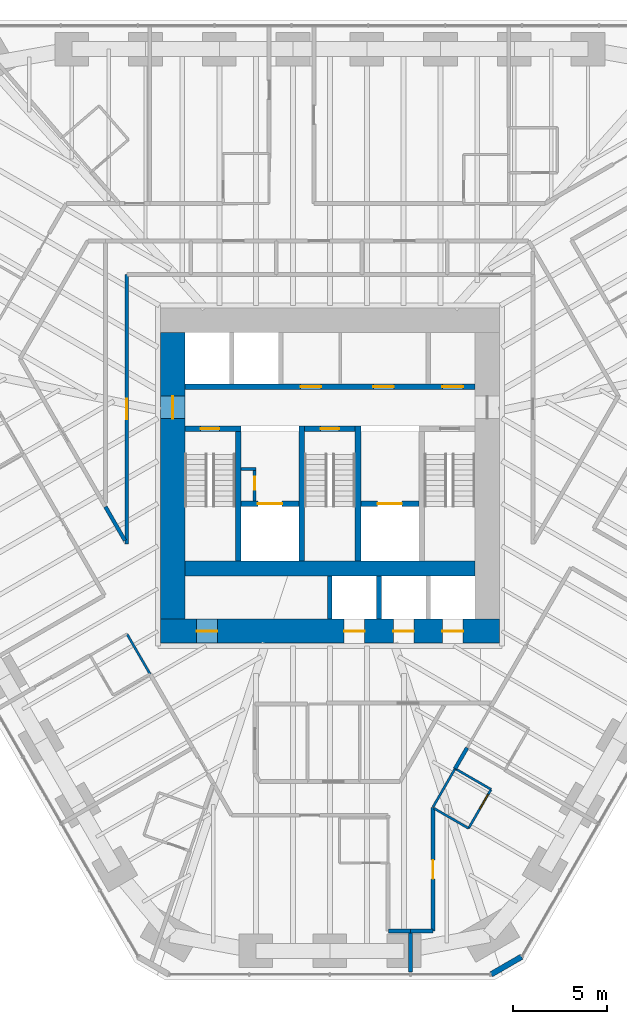
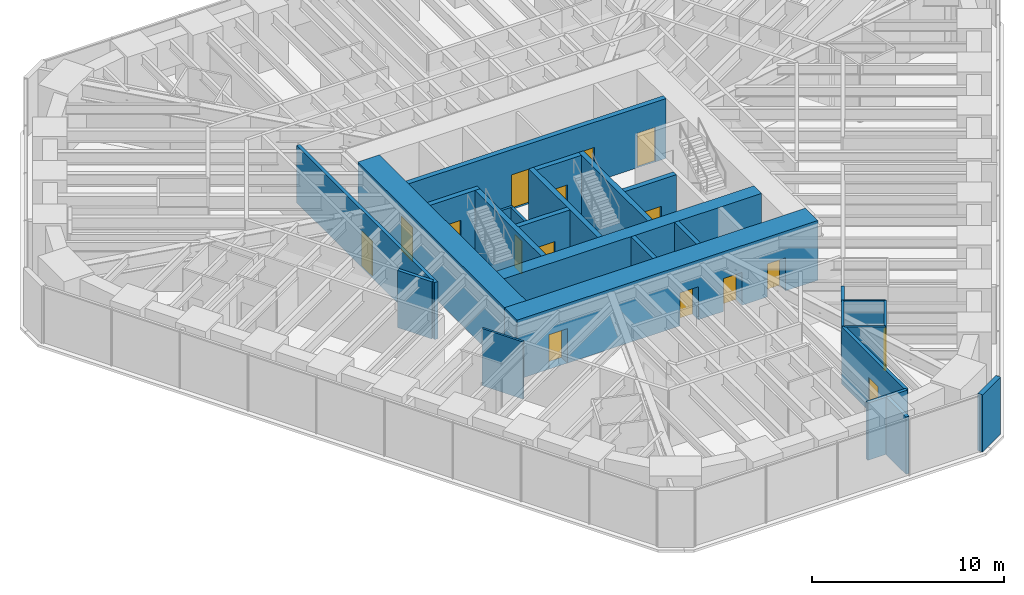
# One storey, part 12 of 17: 28 walls, 16 doors, 16 openings.
"""IFC4 building model written with IfcOpenShell, lengths in metres."""

from ifc_helpers import new_model, si_unit, direction, frame, frame_2d, origin, place, context, subcontext, project, spatial, rectangle, extrude, material, layer, layer_set, type_object, element, fill, save


model = new_model("IFC4")

# Units and contexts
model_context = context("Model", 3, precision=1e-05, world=origin(), true_north=direction((0.0, 1.0)))
body_context = subcontext(model_context, "Body", "Model", "MODEL_VIEW")
ifc_project = project(units=[si_unit("LENGTHUNIT", "METRE"), si_unit("AREAUNIT", "SQUARE_METRE"), si_unit("VOLUMEUNIT", "CUBIC_METRE"), si_unit("PLANEANGLEUNIT", "RADIAN"), si_unit("MASSUNIT", "GRAM", prefix="KILO")], contexts=[model_context])

# Site, building, storey
site_placement = place(None, origin())
site = spatial("IfcSite", under=ifc_project, at=site_placement, CompositionType="ELEMENT")
building_placement = place(site_placement, origin())
building = spatial("IfcBuilding", under=site, at=building_placement, Name="Sandreach Pilgrim Tower", CompositionType="ELEMENT")
storey_placement = place(building_placement, frame((0.0, 0.0, 138.60009765625)))
storey = spatial("IfcBuildingStorey", under=building, at=storey_placement, Name="L34", CompositionType="ELEMENT", Elevation=138.60009765625)

# Walls
ifc_material_1 = material(Name="Moisture-resistant gypsum board on steel studs", Category="steel")
ifc_layer_1 = layer(ifc_material_1, 0.1201171875)
ifc_layer_set_1 = layer_set([ifc_layer_1], Name="Bathroom partition 120")
wall_type_1 = type_object("IfcWallType", Name="Bathroom partition 120", PredefinedType="PARTITIONING", material=ifc_layer_set_1)
wall_1_placement = place(storey_placement, frame((-10.840087890625, -10.010009765625, 0.0), z_axis=(0.0, 0.0, 1.0), x_axis=(0.500089055364, -0.86597398154, 0.0)))
element("IfcWall", 1, at=wall_1_placement, inside=storey, type_object=wall_type_1, Name="Bathroom partition L34-043", PredefinedType="PARTITIONING", context=body_context, shape_type="SweptSolid", body=[
    extrude(rectangle(XDim=2.45947265625, YDim=0.1201171875, at=frame_2d((1.229736328125, 0.0))), origin(), (0.0, 0.0, 1.0), 3.639892578125),
])
wall_2_placement = place(storey_placement, frame((5.510009765625, -19.25, 0.0), z_axis=(0.0, 0.0, 1.0), x_axis=(0.498837591974, 0.866695481028, 0.0)))
element("IfcWall", 2, at=wall_2_placement, inside=storey, type_object=wall_type_1, Name="Bathroom partition L34-092", PredefinedType="PARTITIONING", context=body_context, shape_type="SweptSolid", body=[
    extrude(rectangle(XDim=2.365478515625, YDim=0.1201171875, at=frame_2d((1.1826171875, 0.0))), origin(), (0.0, 0.0, 1.0), 3.639892578125),
])
wall_3_placement = place(storey_placement, frame((5.566162109375, -19.322509765625, 0.0), z_axis=(0.0, 0.0, 1.0), x_axis=(0.865436746432, -0.501018201192, 0.0)))
element("IfcWall", 3, at=wall_3_placement, inside=storey, type_object=wall_type_1, Name="Bathroom partition L34-093", PredefinedType="PARTITIONING", context=body_context, shape_type="SweptSolid", body=[
    extrude(rectangle(XDim=2.13037109375, YDim=0.1201171875, at=frame_2d((1.065185546875, 0.0))), origin(), (0.0, 0.0, 1.0), 3.639892578125),
])

# Wall, opening, door
wall_4_placement = place(storey_placement, frame((7.409912109375, -20.389892578125, 0.0), z_axis=(0.0, 0.0, 1.0), x_axis=(0.499737123639, 0.866177122335, 0.0)))
wall_4 = element("IfcWall", 4, at=wall_4_placement, inside=storey, type_object=wall_type_1, Name="Bathroom partition L34-103", PredefinedType="PARTITIONING", context=body_context, shape_type="SweptSolid", body=[
    extrude(rectangle(XDim=2.401123046875, YDim=0.1201171875, at=frame_2d((1.20068359375, 0.0))), origin(), (0.0, 0.0, 1.0), 3.639892578125),
])
opening_1_placement = place(wall_4_placement, frame((1.201416015625, 0.0, 0.0)))
opening_1 = element("IfcOpeningElement", 5, at=opening_1_placement, cuts=wall_4, Name="Opening D09-09B", PredefinedType="OPENING", context=body_context, shape_type="SweptSolid", body=[
    extrude(rectangle(XDim=0.89990234375, YDim=2.030029296875, at=frame_2d((0.449951171875, 1.01513671875))), frame((0.0, 0.06005859375, 0.0), z_axis=(0.0, -1.0, 0.0), x_axis=(1.0, 0.0, 0.0)), (0.0, 0.0, 1.0), 0.1201171875),
])
ifc_material_2 = material(Name="Timber door, steel frame", Category="steel")
door_type_1 = type_object("IfcDoorType", Name="Bathroom door", OperationType="SINGLE_SWING_LEFT", PredefinedType="DOOR", material=ifc_material_2)
door_1_placement = place(opening_1_placement, origin())
door_1 = element("IfcDoor", 6, at=door_1_placement, inside=storey, type_object=door_type_1, Name="Door 3409B", OperationType="SINGLE_SWING_RIGHT", OverallHeight=2.030029296875, OverallWidth=0.89990234375, PredefinedType="DOOR", context=body_context, shape_type="SweptSolid", body=[
    extrude(rectangle(XDim=0.89990234375, YDim=2.030029296875, at=frame_2d((0.449951171875, 1.01513671875))), frame((0.0, 0.02490234375, 0.0), z_axis=(0.0, -1.0, 0.0), x_axis=(1.0, 0.0, 0.0)), (0.0, 0.0, 1.0), 0.050048828125),
])
fill(opening_1, door_1)

# Walls
wall_5_placement = place(storey_placement, frame((8.610107421875, -18.31005859375, 0.0), z_axis=(0.0, 0.0, 1.0), x_axis=(-0.865732595383, 0.500506816428, 0.0)))
element("IfcWall", 7, at=wall_5_placement, inside=storey, type_object=wall_type_1, Name="Bathroom partition L34-106", PredefinedType="PARTITIONING", context=body_context, shape_type="SweptSolid", body=[
    extrude(rectangle(XDim=2.218017578125, YDim=0.1201171875, at=frame_2d((1.10888671875, 0.0))), origin(), (0.0, 0.0, 1.0), 3.639892578125),
])
ifc_material_3 = material(Name="Concrete 10000 psi", Category="concrete")
ifc_layer_2 = layer(ifc_material_3, 0.300048828125)
ifc_layer_set_2 = layer_set([ifc_layer_2], Name="Core inner wall 300")
wall_type_2 = type_object("IfcWallType", Name="Core inner wall 300", PredefinedType="SHEAR", material=ifc_layer_set_2)
for number, where, z_axis, x_axis, name in (
    (8, (-4.89990234375, -6.10009765625, 0.0), (0.0, 0.0, 1.0), (0.0, 1.0, 0.0), "Core wall I0 L34"),
    (9, (-1.5, -6.10009765625, 0.0), (0.0, 0.0, 1.0), (0.0, 1.0, 0.0), "Core wall I1 L34"),
    (10, (1.5, -6.10009765625, 0.0), (0.0, 0.0, 1.0), (0.0, 1.0, 0.0), "Core wall I2 L34"),
):
    element("IfcWall", number, at=place(storey_placement, frame(where, z_axis=z_axis, x_axis=x_axis)), inside=storey, type_object=wall_type_2, Name=name, PredefinedType="SHEAR", context=body_context, shape_type="SweptSolid", body=[
        extrude(rectangle(XDim=7.2001953125, YDim=0.300048828125, at=frame_2d((3.60009765625, 0.0))), origin(), (0.0, 0.0, 1.0), 3.7998046875),
    ])

# Wall, opening, door
wall_6_placement = place(storey_placement, frame((-7.75, 0.949951171875, 0.0), z_axis=(0.0, 0.0, 1.0), x_axis=(1.0, 0.0, 0.0)))
wall_6 = element("IfcWall", 11, at=wall_6_placement, inside=storey, type_object=wall_type_2, Name="Core wall SN1 L34", PredefinedType="SHEAR", context=body_context, shape_type="SweptSolid", body=[
    extrude(rectangle(XDim=3.0, YDim=0.300048828125, at=frame_2d((1.5, 0.0))), origin(), (0.0, 0.0, 1.0), 3.7998046875),
])
opening_2_placement = place(wall_6_placement, frame((0.85009765625, 0.0, 0.0)))
opening_2 = element("IfcOpeningElement", 12, at=opening_2_placement, cuts=wall_6, Name="Opening D10S-ST1", PredefinedType="OPENING", context=body_context, shape_type="SweptSolid", body=[
    extrude(rectangle(XDim=1.0, YDim=2.199951171875, at=frame_2d((0.5, 1.10009765625))), frame((0.0, 0.14990234375, 0.0), z_axis=(0.0, -1.0, 0.0), x_axis=(1.0, 0.0, 0.0)), (0.0, 0.0, 1.0), 0.300048828125),
])
ifc_material_4 = material(Name="Steel door and frame", Category="steel")
door_type_2 = type_object("IfcDoorType", Name="Stair door", OperationType="SINGLE_SWING_LEFT", PredefinedType="DOOR", material=ifc_material_4)
door_2_placement = place(opening_2_placement, origin())
door_2 = element("IfcDoor", 13, at=door_2_placement, inside=storey, type_object=door_type_2, Name="Stair door ST1 L34", OperationType="SINGLE_SWING_LEFT", OverallHeight=2.199951171875, OverallWidth=1.0, PredefinedType="DOOR", context=body_context, shape_type="SweptSolid", body=[
    extrude(rectangle(XDim=1.0, YDim=2.199951171875, at=frame_2d((0.5, 1.10009765625))), frame((0.0, 0.02490234375, 0.0), z_axis=(0.0, -1.0, 0.0), x_axis=(1.0, 0.0, 0.0)), (0.0, 0.0, 1.0), 0.050048828125),
])
fill(opening_2, door_2)

wall_7_placement = place(storey_placement, frame((-1.35009765625, 0.949951171875, 0.0), z_axis=(0.0, 0.0, 1.0), x_axis=(1.0, 0.0, 0.0)))
wall_7 = element("IfcWall", 14, at=wall_7_placement, inside=storey, type_object=wall_type_2, Name="Core wall SN3 L34", PredefinedType="SHEAR", context=body_context, shape_type="SweptSolid", body=[
    extrude(rectangle(XDim=2.7001953125, YDim=0.300048828125, at=frame_2d((1.35009765625, 0.0))), origin(), (0.0, 0.0, 1.0), 3.7998046875),
])
opening_3_placement = place(wall_7_placement, frame((0.85009765625, 0.0, 0.0)))
opening_3 = element("IfcOpeningElement", 15, at=opening_3_placement, cuts=wall_7, Name="Opening D10S-ST3", PredefinedType="OPENING", context=body_context, shape_type="SweptSolid", body=[
    extrude(rectangle(XDim=1.0, YDim=2.199951171875, at=frame_2d((0.5, 1.10009765625))), frame((0.0, 0.14990234375, 0.0), z_axis=(0.0, -1.0, 0.0), x_axis=(1.0, 0.0, 0.0)), (0.0, 0.0, 1.0), 0.300048828125),
])
door_3_placement = place(opening_3_placement, origin())
door_3 = element("IfcDoor", 16, at=door_3_placement, inside=storey, type_object=door_type_2, Name="Stair door ST3 L34", OperationType="SINGLE_SWING_LEFT", OverallHeight=2.199951171875, OverallWidth=1.0, PredefinedType="DOOR", context=body_context, shape_type="SweptSolid", body=[
    extrude(rectangle(XDim=1.0, YDim=2.199951171875, at=frame_2d((0.5, 1.10009765625))), frame((0.0, 0.02490234375, 0.0), z_axis=(0.0, -1.0, 0.0), x_axis=(1.0, 0.0, 0.0)), (0.0, 0.0, 1.0), 0.050048828125),
])
fill(opening_3, door_3)

wall_8_placement = place(storey_placement, frame((-4.75, -3.050048828125, 0.0), z_axis=(0.0, 0.0, 1.0), x_axis=(1.0, 0.0, 0.0)))
wall_8 = element("IfcWall", 17, at=wall_8_placement, inside=storey, type_object=wall_type_2, Name="Core wall FL1 L34", PredefinedType="SHEAR", context=body_context, shape_type="SweptSolid", body=[
    extrude(rectangle(XDim=3.10009765625, YDim=0.300048828125, at=frame_2d((1.550048828125, 0.0))), origin(), (0.0, 0.0, 1.0), 3.7998046875),
])
opening_4_placement = place(wall_8_placement, frame((0.89990234375, 0.0, 0.0)))
opening_4 = element("IfcOpeningElement", 18, at=opening_4_placement, cuts=wall_8, Name="Opening LD13", PredefinedType="OPENING", context=body_context, shape_type="SweptSolid", body=[
    extrude(rectangle(XDim=1.300048828125, YDim=2.10009765625, at=frame_2d((0.64990234375, 1.050048828125))), frame((0.0, 0.14990234375, 0.0), z_axis=(0.0, -1.0, 0.0), x_axis=(1.0, 0.0, 0.0)), (0.0, 0.0, 1.0), 0.300048828125),
])
ifc_material_5 = material(Name="Steel door and frame", Category="steel")
door_type_3 = type_object("IfcDoorType", Name="Fire service lift landing door", OperationType="DOUBLE_DOOR_SLIDING", PredefinedType="DOOR", material=ifc_material_5)
door_4_placement = place(opening_4_placement, origin())
door_4 = element("IfcDoor", 19, at=door_4_placement, inside=storey, type_object=door_type_3, Name="Lift landing door FS1 L34", OperationType="DOUBLE_DOOR_SLIDING", OverallHeight=2.10009765625, OverallWidth=1.300048828125, PredefinedType="DOOR", context=body_context, shape_type="SweptSolid", body=[
    extrude(rectangle(XDim=1.300048828125, YDim=2.10009765625, at=frame_2d((0.64990234375, 1.050048828125))), frame((0.0, 0.02490234375, 0.0), z_axis=(0.0, -1.0, 0.0), x_axis=(1.0, 0.0, 0.0)), (0.0, 0.0, 1.0), 0.050048828125),
])
fill(opening_4, door_4)

wall_9_placement = place(storey_placement, frame((1.64990234375, -3.050048828125, 0.0), z_axis=(0.0, 0.0, 1.0), x_axis=(1.0, 0.0, 0.0)))
wall_9 = element("IfcWall", 20, at=wall_9_placement, inside=storey, type_object=wall_type_2, Name="Core wall FL2 L34", PredefinedType="SHEAR", context=body_context, shape_type="SweptSolid", body=[
    extrude(rectangle(XDim=3.10009765625, YDim=0.300048828125, at=frame_2d((1.550048828125, 0.0))), origin(), (0.0, 0.0, 1.0), 3.7998046875),
])
opening_5_placement = place(wall_9_placement, frame((0.89990234375, 0.0, 0.0)))
opening_5 = element("IfcOpeningElement", 21, at=opening_5_placement, cuts=wall_9, Name="Opening LD13", PredefinedType="OPENING", context=body_context, shape_type="SweptSolid", body=[
    extrude(rectangle(XDim=1.300048828125, YDim=2.10009765625, at=frame_2d((0.64990234375, 1.050048828125))), frame((0.0, 0.14990234375, 0.0), z_axis=(0.0, -1.0, 0.0), x_axis=(1.0, 0.0, 0.0)), (0.0, 0.0, 1.0), 0.300048828125),
])
door_5_placement = place(opening_5_placement, origin())
door_5 = element("IfcDoor", 22, at=door_5_placement, inside=storey, type_object=door_type_3, Name="Lift landing door FS2 L34", OperationType="DOUBLE_DOOR_SLIDING", OverallHeight=2.10009765625, OverallWidth=1.300048828125, PredefinedType="DOOR", context=body_context, shape_type="SweptSolid", body=[
    extrude(rectangle(XDim=1.300048828125, YDim=2.10009765625, at=frame_2d((0.64990234375, 1.050048828125))), frame((0.0, 0.02490234375, 0.0), z_axis=(0.0, -1.0, 0.0), x_axis=(1.0, 0.0, 0.0)), (0.0, 0.0, 1.0), 0.050048828125),
])
fill(opening_5, door_5)

# Wall, openings, doors
wall_10_placement = place(storey_placement, frame((-7.75, 3.199951171875, 0.0), z_axis=(0.0, 0.0, 1.0), x_axis=(1.0, 0.0, 0.0)))
wall_10 = element("IfcWall", 23, at=wall_10_placement, inside=storey, type_object=wall_type_2, Name="Core wall PN L34", PredefinedType="SHEAR", context=body_context, shape_type="SweptSolid", body=[
    extrude(rectangle(XDim=15.5, YDim=0.300048828125, at=frame_2d((7.75, 0.0))), origin(), (0.0, 0.0, 1.0), 3.7998046875),
])
opening_6_placement = place(wall_10_placement, frame((6.1875, 0.0, 0.0)))
opening_6 = element("IfcOpeningElement", 24, at=opening_6_placement, cuts=wall_10, Name="Opening D11L", PredefinedType="OPENING", context=body_context, shape_type="SweptSolid", body=[
    extrude(rectangle(XDim=1.10009765625, YDim=2.199951171875, at=frame_2d((0.550048828125, 1.10009765625))), frame((0.0, 0.14990234375, 0.0), z_axis=(0.0, -1.0, 0.0), x_axis=(1.0, 0.0, 0.0)), (0.0, 0.0, 1.0), 0.300048828125),
])
opening_7_placement = place(wall_10_placement, frame((10.074951171875, 0.0, 0.0)))
opening_7 = element("IfcOpeningElement", 25, at=opening_7_placement, cuts=wall_10, Name="Opening D11L", PredefinedType="OPENING", context=body_context, shape_type="SweptSolid", body=[
    extrude(rectangle(XDim=1.10009765625, YDim=2.199951171875, at=frame_2d((0.550048828125, 1.10009765625))), frame((0.0, 0.14990234375, 0.0), z_axis=(0.0, -1.0, 0.0), x_axis=(1.0, 0.0, 0.0)), (0.0, 0.0, 1.0), 0.300048828125),
])
opening_8_placement = place(wall_10_placement, frame((13.762451171875, 0.0, 0.0)))
opening_8 = element("IfcOpeningElement", 26, at=opening_8_placement, cuts=wall_10, Name="Opening D11L", PredefinedType="OPENING", context=body_context, shape_type="SweptSolid", body=[
    extrude(rectangle(XDim=1.10009765625, YDim=2.199951171875, at=frame_2d((0.550048828125, 1.10009765625))), frame((0.0, 0.14990234375, 0.0), z_axis=(0.0, -1.0, 0.0), x_axis=(1.0, 0.0, 0.0)), (0.0, 0.0, 1.0), 0.300048828125),
])
ifc_material_6 = material(Name="Steel door and frame, smoke seals", Category="steel")
door_type_4 = type_object("IfcDoorType", Name="Core room door", OperationType="SINGLE_SWING_LEFT", PredefinedType="DOOR", material=ifc_material_6)
door_6_placement = place(opening_6_placement, origin())
door_6 = element("IfcDoor", 27, at=door_6_placement, inside=storey, type_object=door_type_4, Name="Door housekeeping store 34K1", OperationType="SINGLE_SWING_LEFT", OverallHeight=2.199951171875, OverallWidth=1.10009765625, PredefinedType="DOOR", context=body_context, shape_type="SweptSolid", body=[
    extrude(rectangle(XDim=1.10009765625, YDim=2.199951171875, at=frame_2d((0.550048828125, 1.10009765625))), frame((0.0, 0.02490234375, 0.0), z_axis=(0.0, -1.0, 0.0), x_axis=(1.0, 0.0, 0.0)), (0.0, 0.0, 1.0), 0.050048828125),
])
fill(opening_6, door_6)
door_7_placement = place(opening_7_placement, origin())
door_7 = element("IfcDoor", 28, at=door_7_placement, inside=storey, type_object=door_type_4, Name="Door cleaners store 34K2", OperationType="SINGLE_SWING_RIGHT", OverallHeight=2.199951171875, OverallWidth=1.10009765625, PredefinedType="DOOR", context=body_context, shape_type="SweptSolid", body=[
    extrude(rectangle(XDim=1.10009765625, YDim=2.199951171875, at=frame_2d((0.550048828125, 1.10009765625))), frame((0.0, 0.02490234375, 0.0), z_axis=(0.0, -1.0, 0.0), x_axis=(1.0, 0.0, 0.0)), (0.0, 0.0, 1.0), 0.050048828125),
])
fill(opening_7, door_7)
door_8_placement = place(opening_8_placement, origin())
door_8 = element("IfcDoor", 29, at=door_8_placement, inside=storey, type_object=door_type_4, Name="Door storage room 34K3", OperationType="SINGLE_SWING_RIGHT", OverallHeight=2.199951171875, OverallWidth=1.10009765625, PredefinedType="DOOR", context=body_context, shape_type="SweptSolid", body=[
    extrude(rectangle(XDim=1.10009765625, YDim=2.199951171875, at=frame_2d((0.550048828125, 1.10009765625))), frame((0.0, 0.02490234375, 0.0), z_axis=(0.0, -1.0, 0.0), x_axis=(1.0, 0.0, 0.0)), (0.0, 0.0, 1.0), 0.050048828125),
])
fill(opening_8, door_8)

# Wall
ifc_material_7 = material(Name="Concrete 10000 psi", Category="concrete")
ifc_layer_3 = layer(ifc_material_7, 0.800048828125)
ifc_layer_set_3 = layer_set([ifc_layer_3], Name="Core mid wall 800")
wall_type_3 = type_object("IfcWallType", Name="Core mid wall 800", PredefinedType="SHEAR", material=ifc_layer_set_3)
wall_11_placement = place(storey_placement, frame((-7.75, -6.5, 0.0), z_axis=(0.0, 0.0, 1.0), x_axis=(1.0, 0.0, 0.0)))
element("IfcWall", 30, at=wall_11_placement, inside=storey, type_object=wall_type_3, Name="Core wall M L34", PredefinedType="SHEAR", context=body_context, shape_type="SweptSolid", body=[
    extrude(rectangle(XDim=15.5, YDim=0.800048828125, at=frame_2d((7.75, 0.0))), origin(), (0.0, 0.0, 1.0), 3.7998046875),
])

# Wall, openings, doors
ifc_material_8 = material(Name="Concrete 10000 psi", Category="concrete")
ifc_layer_4 = layer(ifc_material_8, 1.300048828125)
ifc_layer_set_4 = layer_set([ifc_layer_4], Name="Core wall 1300")
wall_type_4 = type_object("IfcWallType", Name="Core wall 1300", PredefinedType="SHEAR", material=ifc_layer_set_4)
wall_12_placement = place(storey_placement, frame((-9.050048828125, -9.85009765625, 0.0), z_axis=(0.0, 0.0, 1.0), x_axis=(1.0, 0.0, 0.0)))
wall_12 = element("IfcWall", 31, at=wall_12_placement, inside=storey, type_object=wall_type_4, Name="Core wall S L34", PredefinedType="SHEAR", context=body_context, shape_type="SweptSolid", body=[
    extrude(rectangle(XDim=18.10009765625, YDim=1.300048828125, at=frame_2d((9.050048828125, 0.0))), origin(), (0.0, 0.0, 1.0), 3.7998046875),
])
opening_9_placement = place(wall_12_placement, frame((1.9375, 0.0, 0.0)))
opening_9 = element("IfcOpeningElement", 32, at=opening_9_placement, cuts=wall_12, Name="Opening D11H", PredefinedType="OPENING", context=body_context, shape_type="SweptSolid", body=[
    extrude(rectangle(XDim=1.10009765625, YDim=2.199951171875, at=frame_2d((0.550048828125, 1.10009765625))), frame((0.0, 0.64990234375, 0.0), z_axis=(0.0, -1.0, 0.0), x_axis=(1.0, 0.0, 0.0)), (0.0, 0.0, 1.0), 1.300048828125),
])
opening_10_placement = place(wall_12_placement, frame((9.8125, 0.0, 0.0)))
opening_10 = element("IfcOpeningElement", 33, at=opening_10_placement, cuts=wall_12, Name="Opening LD11", PredefinedType="OPENING", context=body_context, shape_type="SweptSolid", body=[
    extrude(rectangle(XDim=1.10009765625, YDim=2.10009765625, at=frame_2d((0.550048828125, 1.050048828125))), frame((0.0, 0.64990234375, 0.0), z_axis=(0.0, -1.0, 0.0), x_axis=(1.0, 0.0, 0.0)), (0.0, 0.0, 1.0), 1.300048828125),
])
opening_11_placement = place(wall_12_placement, frame((12.4375, 0.0, 0.0)))
opening_11 = element("IfcOpeningElement", 34, at=opening_11_placement, cuts=wall_12, Name="Opening LD11", PredefinedType="OPENING", context=body_context, shape_type="SweptSolid", body=[
    extrude(rectangle(XDim=1.10009765625, YDim=2.10009765625, at=frame_2d((0.550048828125, 1.050048828125))), frame((0.0, 0.64990234375, 0.0), z_axis=(0.0, -1.0, 0.0), x_axis=(1.0, 0.0, 0.0)), (0.0, 0.0, 1.0), 1.300048828125),
])
opening_12_placement = place(wall_12_placement, frame((15.0625, 0.0, 0.0)))
opening_12 = element("IfcOpeningElement", 35, at=opening_12_placement, cuts=wall_12, Name="Opening LD11", PredefinedType="OPENING", context=body_context, shape_type="SweptSolid", body=[
    extrude(rectangle(XDim=1.10009765625, YDim=2.10009765625, at=frame_2d((0.550048828125, 1.050048828125))), frame((0.0, 0.64990234375, 0.0), z_axis=(0.0, -1.0, 0.0), x_axis=(1.0, 0.0, 0.0)), (0.0, 0.0, 1.0), 1.300048828125),
])
ifc_material_9 = material(Name="Steel door and frame", Category="steel")
door_type_5 = type_object("IfcDoorType", Name="Back of house door", OperationType="SINGLE_SWING_LEFT", PredefinedType="DOOR", material=ifc_material_9)
door_9_placement = place(opening_9_placement, origin())
door_9 = element("IfcDoor", 36, at=door_9_placement, inside=storey, type_object=door_type_5, Name="Door staff room 34K4", OperationType="SINGLE_SWING_LEFT", OverallHeight=2.199951171875, OverallWidth=1.10009765625, PredefinedType="DOOR", context=body_context, shape_type="SweptSolid", body=[
    extrude(rectangle(XDim=1.10009765625, YDim=2.199951171875, at=frame_2d((0.550048828125, 1.10009765625))), frame((0.0, 0.02490234375, 0.0), z_axis=(0.0, -1.0, 0.0), x_axis=(1.0, 0.0, 0.0)), (0.0, 0.0, 1.0), 0.050048828125),
])
fill(opening_9, door_9)
ifc_material_10 = material(Name="Steel door and frame", Category="steel")
door_type_6 = type_object("IfcDoorType", Name="Lift landing door", OperationType="DOUBLE_DOOR_SLIDING", PredefinedType="DOOR", material=ifc_material_10)
door_10_placement = place(opening_10_placement, origin())
door_10 = element("IfcDoor", 37, at=door_10_placement, inside=storey, type_object=door_type_6, Name="Lift landing door Z2A L34", OperationType="DOUBLE_DOOR_SLIDING", OverallHeight=2.10009765625, OverallWidth=1.10009765625, PredefinedType="DOOR", context=body_context, shape_type="SweptSolid", body=[
    extrude(rectangle(XDim=1.10009765625, YDim=2.10009765625, at=frame_2d((0.550048828125, 1.050048828125))), frame((0.0, 0.02490234375, 0.0), z_axis=(0.0, -1.0, 0.0), x_axis=(1.0, 0.0, 0.0)), (0.0, 0.0, 1.0), 0.050048828125),
])
fill(opening_10, door_10)
door_11_placement = place(opening_11_placement, origin())
door_11 = element("IfcDoor", 38, at=door_11_placement, inside=storey, type_object=door_type_6, Name="Lift landing door Z2B L34", OperationType="DOUBLE_DOOR_SLIDING", OverallHeight=2.10009765625, OverallWidth=1.10009765625, PredefinedType="DOOR", context=body_context, shape_type="SweptSolid", body=[
    extrude(rectangle(XDim=1.10009765625, YDim=2.10009765625, at=frame_2d((0.550048828125, 1.050048828125))), frame((0.0, 0.02490234375, 0.0), z_axis=(0.0, -1.0, 0.0), x_axis=(1.0, 0.0, 0.0)), (0.0, 0.0, 1.0), 0.050048828125),
])
fill(opening_11, door_11)
door_12_placement = place(opening_12_placement, origin())
door_12 = element("IfcDoor", 39, at=door_12_placement, inside=storey, type_object=door_type_6, Name="Lift landing door Z2C L34", OperationType="DOUBLE_DOOR_SLIDING", OverallHeight=2.10009765625, OverallWidth=1.10009765625, PredefinedType="DOOR", context=body_context, shape_type="SweptSolid", body=[
    extrude(rectangle(XDim=1.10009765625, YDim=2.10009765625, at=frame_2d((0.550048828125, 1.050048828125))), frame((0.0, 0.02490234375, 0.0), z_axis=(0.0, -1.0, 0.0), x_axis=(1.0, 0.0, 0.0)), (0.0, 0.0, 1.0), 0.050048828125),
])
fill(opening_12, door_12)

# Wall, opening, door
wall_13_placement = place(storey_placement, frame((-8.39990234375, -9.199951171875, 0.0), z_axis=(0.0, 0.0, 1.0), x_axis=(0.0, 1.0, 0.0)))
wall_13 = element("IfcWall", 40, at=wall_13_placement, inside=storey, type_object=wall_type_4, Name="Core wall W L34", PredefinedType="SHEAR", context=body_context, shape_type="SweptSolid", body=[
    extrude(rectangle(XDim=15.300048828125, YDim=1.300048828125, at=frame_2d((7.64990234375, 0.0))), origin(), (0.0, 0.0, 1.0), 3.7998046875),
])
opening_13_placement = place(wall_13_placement, frame((10.699951171875, 0.0, 0.0)))
opening_13 = element("IfcOpeningElement", 41, at=opening_13_placement, cuts=wall_13, Name="Opening D12F-W", PredefinedType="OPENING", context=body_context, shape_type="SweptSolid", body=[
    extrude(rectangle(XDim=1.199951171875, YDim=2.199951171875, at=frame_2d((0.60009765625, 1.10009765625))), frame((0.0, 0.64990234375, 0.0), z_axis=(0.0, -1.0, 0.0), x_axis=(1.0, 0.0, 0.0)), (0.0, 0.0, 1.0), 1.300048828125),
])
ifc_material_11 = material(Name="Steel door and frame", Category="steel")
door_type_7 = type_object("IfcDoorType", Name="Fire lobby door", OperationType="SINGLE_SWING_LEFT", PredefinedType="DOOR", material=ifc_material_11)
door_13_placement = place(opening_13_placement, origin())
door_13 = element("IfcDoor", 42, at=door_13_placement, inside=storey, type_object=door_type_7, Name="Fire service lobby door W L34", OperationType="SINGLE_SWING_RIGHT", OverallHeight=2.199951171875, OverallWidth=1.199951171875, PredefinedType="DOOR", context=body_context, shape_type="SweptSolid", body=[
    extrude(rectangle(XDim=1.199951171875, YDim=2.199951171875, at=frame_2d((0.60009765625, 1.10009765625))), frame((0.0, 0.02490234375, 0.0), z_axis=(0.0, -1.0, 0.0), x_axis=(1.0, 0.0, 0.0)), (0.0, 0.0, 1.0), 0.050048828125),
])
fill(opening_13, door_13)

# Wall
ifc_material_12 = material(Name="Gypsum board on steel studs, two layers each side", Category="steel")
ifc_layer_5 = layer(ifc_material_12, 0.199951171875)
ifc_layer_set_5 = layer_set([ifc_layer_5], Name="Corridor wall 200")
wall_type_5 = type_object("IfcWallType", Name="Corridor wall 200", PredefinedType="PARTITIONING", material=ifc_layer_set_5)
wall_14_placement = place(storey_placement, frame((-10.94970703125, -5.0166015625, 0.0), z_axis=(0.0, 0.0, 1.0), x_axis=(-0.498999092416, 0.866602507363, 0.0)))
element("IfcWall", 43, at=wall_14_placement, inside=storey, type_object=wall_type_5, Name="Corridor wall L34-041", PredefinedType="PARTITIONING", context=body_context, shape_type="SweptSolid", body=[
    extrude(rectangle(XDim=2.084716796875, YDim=0.199951171875, at=frame_2d((1.04248046875, 0.0))), origin(), (0.0, 0.0, 1.0), 3.639892578125),
])

# Wall, opening, door
wall_15_placement = place(storey_placement, frame((-10.85009765625, 9.199951171875, 0.0), z_axis=(0.0, 0.0, 1.0), x_axis=(0.0, -1.0, 0.0)))
wall_15 = element("IfcWall", 44, at=wall_15_placement, inside=storey, type_object=wall_type_5, Name="Corridor wall L34-042", PredefinedType="PARTITIONING", context=body_context, shape_type="SweptSolid", body=[
    extrude(rectangle(XDim=14.389892578125, YDim=0.199951171875, at=frame_2d((7.19482421875, 0.0))), origin(), (0.0, 0.0, 1.0), 3.639892578125),
])
opening_14_placement = place(wall_15_placement, frame((6.64501953125, 0.0, 0.0)))
opening_14 = element("IfcOpeningElement", 45, at=opening_14_placement, cuts=wall_15, Name="Opening D11H-M02", PredefinedType="OPENING", context=body_context, shape_type="SweptSolid", body=[
    extrude(rectangle(XDim=1.10009765625, YDim=2.199951171875, at=frame_2d((0.550048828125, 1.10009765625))), frame((0.0, 0.10009765625, 0.0), z_axis=(0.0, -1.0, 0.0), x_axis=(1.0, 0.0, 0.0)), (0.0, 0.0, 1.0), 0.199951171875),
])
door_14_placement = place(opening_14_placement, origin())
door_14 = element("IfcDoor", 46, at=door_14_placement, inside=storey, type_object=door_type_5, Name="Door 34M02", OperationType="SINGLE_SWING_LEFT", OverallHeight=2.199951171875, OverallWidth=1.10009765625, PredefinedType="DOOR", context=body_context, shape_type="SweptSolid", body=[
    extrude(rectangle(XDim=1.10009765625, YDim=2.199951171875, at=frame_2d((0.550048828125, 1.10009765625))), frame((0.0, 0.02490234375, 0.0), z_axis=(0.0, -1.0, 0.0), x_axis=(1.0, 0.0, 0.0)), (0.0, 0.0, 1.0), 0.050048828125),
])
fill(opening_14, door_14)

# Walls
wall_16_placement = place(storey_placement, frame((3.125, -25.8798828125, 0.0), z_axis=(0.0, 0.0, 1.0), x_axis=(1.0, 0.0, 0.0)))
element("IfcWall", 47, at=wall_16_placement, inside=storey, type_object=wall_type_5, Name="Corridor wall L34-087", PredefinedType="PARTITIONING", context=body_context, shape_type="SweptSolid", body=[
    extrude(rectangle(XDim=1.18505859375, YDim=0.199951171875, at=frame_2d((0.592529296875, 0.0))), origin(), (0.0, 0.0, 1.0), 3.639892578125),
])
wall_17_placement = place(storey_placement, frame((4.31005859375, -25.8798828125, 0.0), z_axis=(0.0, 0.0, 1.0), x_axis=(1.0, 0.0, 0.0)))
element("IfcWall", 48, at=wall_17_placement, inside=storey, type_object=wall_type_5, Name="Corridor wall L34-090", PredefinedType="PARTITIONING", context=body_context, shape_type="SweptSolid", body=[
    extrude(rectangle(XDim=1.18994140625, YDim=0.199951171875, at=frame_2d((0.594970703125, 0.0))), origin(), (0.0, 0.0, 1.0), 3.639892578125),
])

# Wall, opening, door
wall_18_placement = place(storey_placement, frame((5.510009765625, -25.8798828125, 0.0), z_axis=(0.0, 0.0, 1.0), x_axis=(0.0, 1.0, 0.0)))
wall_18 = element("IfcWall", 49, at=wall_18_placement, inside=storey, type_object=wall_type_5, Name="Corridor wall L34-091", PredefinedType="PARTITIONING", context=body_context, shape_type="SweptSolid", body=[
    extrude(rectangle(XDim=6.58984375, YDim=0.199951171875, at=frame_2d((3.294921875, 0.0))), origin(), (0.0, 0.0, 1.0), 3.639892578125),
])
opening_15_placement = place(wall_18_placement, frame((2.794921875, 0.0, 0.0)))
opening_15 = element("IfcOpeningElement", 50, at=opening_15_placement, cuts=wall_18, Name="Opening D10-09", PredefinedType="OPENING", context=body_context, shape_type="SweptSolid", body=[
    extrude(rectangle(XDim=1.0, YDim=2.1298828125, at=frame_2d((0.5, 1.06494140625))), frame((0.0, 0.10009765625, 0.0), z_axis=(0.0, -1.0, 0.0), x_axis=(1.0, 0.0, 0.0)), (0.0, 0.0, 1.0), 0.199951171875),
])
ifc_material_13 = material(Name="Steel door and frame", Category="steel")
door_type_8 = type_object("IfcDoorType", Name="Guest room entry door", OperationType="SINGLE_SWING_LEFT", PredefinedType="DOOR", material=ifc_material_13)
door_15_placement = place(opening_15_placement, origin())
door_15 = element("IfcDoor", 51, at=door_15_placement, inside=storey, type_object=door_type_8, Name="Door 3409", OperationType="SINGLE_SWING_LEFT", OverallHeight=2.1298828125, OverallWidth=1.0, PredefinedType="DOOR", context=body_context, shape_type="SweptSolid", body=[
    extrude(rectangle(XDim=1.0, YDim=2.1298828125, at=frame_2d((0.5, 1.06494140625))), frame((0.0, 0.02490234375, 0.0), z_axis=(0.0, -1.0, 0.0), x_axis=(1.0, 0.0, 0.0)), (0.0, 0.0, 1.0), 0.050048828125),
])
fill(opening_15, door_15)

# Walls
wall_19_placement = place(storey_placement, frame((6.68994140625, -17.199951171875, 0.0), z_axis=(0.0, 0.0, 1.0), x_axis=(0.499623473928, 0.866242682105, 0.0)))
element("IfcWall", 52, at=wall_19_placement, inside=storey, type_object=wall_type_5, Name="Corridor wall L34-098", PredefinedType="PARTITIONING", context=body_context, shape_type="SweptSolid", body=[
    extrude(rectangle(XDim=1.28125, YDim=0.199951171875, at=frame_2d((0.640625, 0.0))), origin(), (0.0, 0.0, 1.0), 3.639892578125),
])
ifc_material_14 = material(Name="Double steel stud acoustic wall, gypsum board", Category="steel")
ifc_layer_6 = layer(ifc_material_14, 0.199951171875)
ifc_layer_set_6 = layer_set([ifc_layer_6], Name="Party wall 200")
wall_type_6 = type_object("IfcWallType", Name="Party wall 200", PredefinedType="PARTITIONING", material=ifc_layer_set_6)
wall_20_placement = place(storey_placement, frame((4.31005859375, -28.070068359375, 0.0), z_axis=(0.0, 0.0, 1.0), x_axis=(0.0, 1.0, 0.0)))
element("IfcWall", 53, at=wall_20_placement, inside=storey, type_object=wall_type_6, Name="Party wall L34-089", PredefinedType="PARTITIONING", context=body_context, shape_type="SweptSolid", body=[
    extrude(rectangle(XDim=2.18017578125, YDim=0.199951171875, at=frame_2d((1.090087890625, 0.0))), origin(), (0.0, 0.0, 1.0), 3.639892578125),
])

# Wall, opening, door
ifc_material_15 = material(Name="Gypsum shaft wall on steel studs, shaft liner board", Category="steel")
ifc_layer_7 = layer(ifc_material_15, 0.14990234375)
ifc_layer_set_7 = layer_set([ifc_layer_7], Name="Riser shaft wall 150")
wall_type_7 = type_object("IfcWallType", Name="Riser shaft wall 150", PredefinedType="PARTITIONING", material=ifc_layer_set_7)
wall_21_placement = place(storey_placement, frame((-4.02490234375, -2.89990234375, 0.0), z_axis=(0.0, 0.0, 1.0), x_axis=(0.0, 1.0, 0.0)))
wall_21 = element("IfcWall", 54, at=wall_21_placement, inside=storey, type_object=wall_type_7, Name="Riser partition L34 side", PredefinedType="PARTITIONING", context=body_context, shape_type="SweptSolid", body=[
    extrude(rectangle(XDim=1.77490234375, YDim=0.14990234375, at=frame_2d((0.887451171875, 0.0))), origin(), (0.0, 0.0, 1.0), 3.639892578125),
])
opening_16_placement = place(wall_21_placement, frame((0.60009765625, 0.0, 0.0)))
opening_16 = element("IfcOpeningElement", 55, at=opening_16_placement, cuts=wall_21, Name="Opening D07R", PredefinedType="OPENING", context=body_context, shape_type="SweptSolid", body=[
    extrude(rectangle(XDim=0.699951171875, YDim=2.10009765625, at=frame_2d((0.35009765625, 1.050048828125))), frame((0.0, 0.074951171875, 0.0), z_axis=(0.0, -1.0, 0.0), x_axis=(1.0, 0.0, 0.0)), (0.0, 0.0, 1.0), 0.14990234375),
])
ifc_material_16 = material(Name="Steel door and frame, smoke seals", Category="steel")
door_type_9 = type_object("IfcDoorType", Name="Riser access door", OperationType="SINGLE_SWING_RIGHT", PredefinedType="DOOR", material=ifc_material_16)
door_16_placement = place(opening_16_placement, origin())
door_16 = element("IfcDoor", 56, at=door_16_placement, inside=storey, type_object=door_type_9, Name="Door riser 34ER", OperationType="SINGLE_SWING_RIGHT", OverallHeight=2.10009765625, OverallWidth=0.699951171875, PredefinedType="DOOR", context=body_context, shape_type="SweptSolid", body=[
    extrude(rectangle(XDim=0.699951171875, YDim=2.10009765625, at=frame_2d((0.35009765625, 1.050048828125))), frame((0.0, 0.02490234375, 0.0), z_axis=(0.0, -1.0, 0.0), x_axis=(1.0, 0.0, 0.0)), (0.0, 0.0, 1.0), 0.050048828125),
])
fill(opening_16, door_16)

# Walls
wall_22_placement = place(storey_placement, frame((-4.75, -1.199951171875, 0.0), z_axis=(0.0, 0.0, 1.0), x_axis=(1.0, 0.0, 0.0)))
element("IfcWall", 57, at=wall_22_placement, inside=storey, type_object=wall_type_7, Name="Riser partition L34 front", PredefinedType="PARTITIONING", context=body_context, shape_type="SweptSolid", body=[
    extrude(rectangle(XDim=0.800048828125, YDim=0.14990234375, at=frame_2d((0.39990234375, 0.0))), origin(), (0.0, 0.0, 1.0), 3.639892578125),
])
ifc_material_17 = material(Name="Gypsum shaft wall on steel studs, two layers of shaft liner board", Category="steel")
ifc_layer_8 = layer(ifc_material_17, 0.25)
ifc_layer_set_8 = layer_set([ifc_layer_8], Name="Shaft partition 250")
wall_type_8 = type_object("IfcWallType", Name="Shaft partition 250", PredefinedType="PARTITIONING", material=ifc_layer_set_8)
for number, where, z_axis, x_axis, name in (
    (58, (0.0, -9.199951171875, 0.0), (0.0, 0.0, 1.0), (0.0, 1.0, 0.0), "Shaft partition XS2 L34"),
    (59, (2.625, -9.199951171875, 0.0), (0.0, 0.0, 1.0), (0.0, 1.0, 0.0), "Shaft partition XS3 L34"),
):
    element("IfcWall", number, at=place(storey_placement, frame(where, z_axis=z_axis, x_axis=x_axis)), inside=storey, type_object=wall_type_8, Name=name, PredefinedType="PARTITIONING", context=body_context, shape_type="SweptSolid", body=[
        extrude(rectangle(XDim=2.300048828125, YDim=0.25, at=frame_2d((1.14990234375, 0.0))), origin(), (0.0, 0.0, 1.0), 3.7998046875),
    ])
ifc_material_18 = material(Name="Terracotta rainscreen on concrete", Category="masonry")
ifc_layer_9 = layer(ifc_material_18, 0.300048828125)
ifc_layer_set_9 = layer_set([ifc_layer_9], Name="Terracotta chamfer pier")
wall_type_9 = type_object("IfcWallType", Name="Terracotta chamfer pier", PredefinedType="SOLIDWALL", material=ifc_layer_set_9)
wall_23_placement = place(storey_placement, frame((10.239501953125, -27.252197265625, 0.0), z_axis=(0.0, 0.0, 1.0), x_axis=(-0.866045024864, -0.499966013754, 0.0)))
element("IfcWall", 60, at=wall_23_placement, inside=storey, type_object=wall_type_9, Name="Chamfer pier L34 SE", PredefinedType="SOLIDWALL", context=body_context, shape_type="SweptSolid", body=[
    extrude(rectangle(XDim=1.880126953125, YDim=0.300048828125, at=frame_2d((0.93994140625, 0.0))), origin(), (0.0, 0.0, 1.0), 3.639892578125),
])

save(model, "model.ifc")
